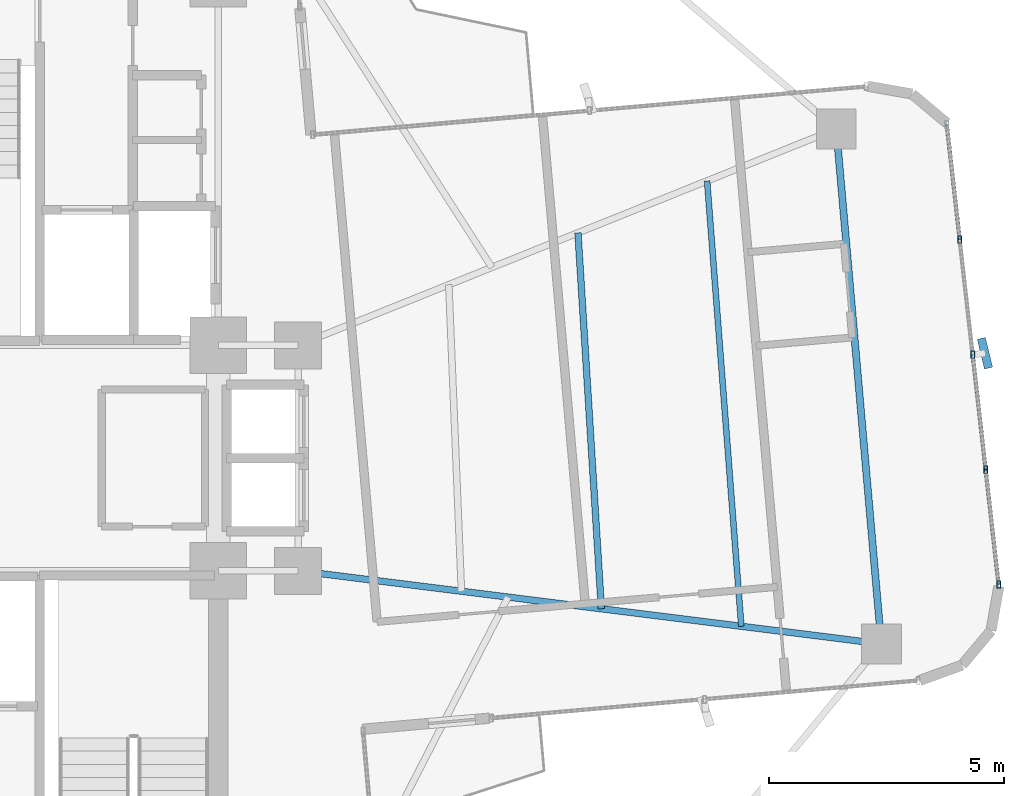
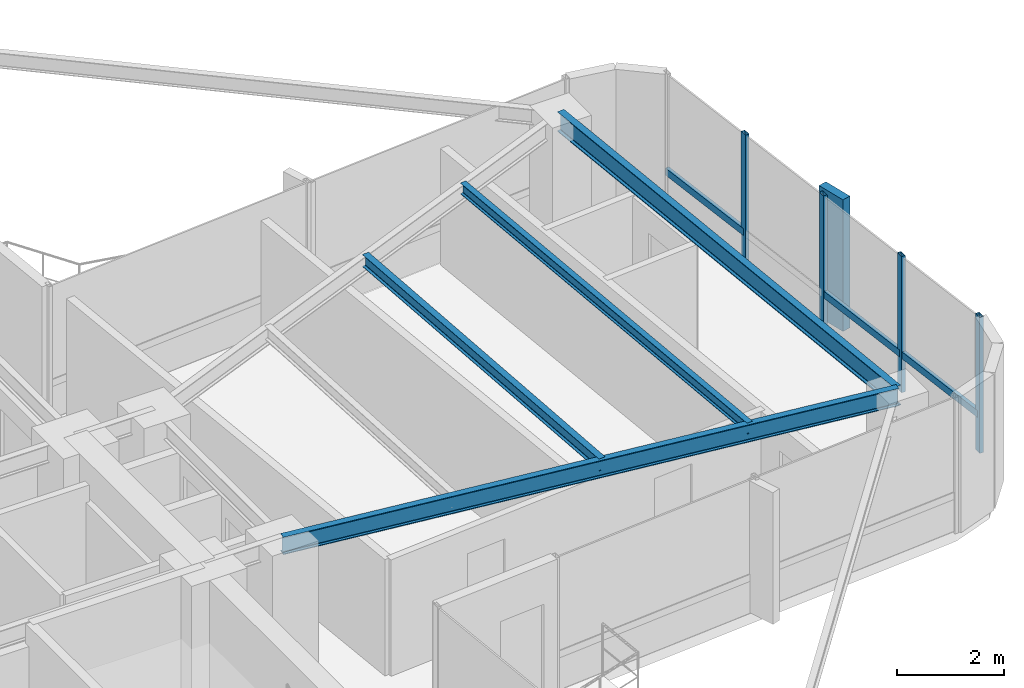
# One storey, part 14 of 24: 8 members, 4 beams, 1 element without a shape of its own.
"""IFC4 building model written with IfcOpenShell, lengths in metres."""

from ifc_helpers import new_model, si_unit, direction, frame, origin, origin_2d, place, context, subcontext, project, spatial, rectangle, hollow_rectangle, i_section, extrude, source, transform, mapped, material, material_profile, profile_set, type_object, element, aggregate, save


model = new_model("IFC4")

# Units and contexts
model_context = context("Model", 3, precision=1e-05, world=origin(), true_north=direction((0.0, 1.0)))
body_context = subcontext(model_context, "Body", "Model", "MODEL_VIEW")
ifc_project = project(units=[si_unit("LENGTHUNIT", "METRE"), si_unit("AREAUNIT", "SQUARE_METRE"), si_unit("VOLUMEUNIT", "CUBIC_METRE"), si_unit("PLANEANGLEUNIT", "RADIAN"), si_unit("MASSUNIT", "GRAM", prefix="KILO")], contexts=[model_context])

# Site, building, storey
site_placement = place(None, origin())
site = spatial("IfcSite", under=ifc_project, at=site_placement, CompositionType="ELEMENT")
building_placement = place(site_placement, origin())
building = spatial("IfcBuilding", under=site, at=building_placement, Name="Sahyath Konkavel Grand Hotel", CompositionType="ELEMENT")
storey_placement = place(building_placement, frame((0.0, 0.0, 181.89990234375)))
storey = spatial("IfcBuildingStorey", under=building, at=storey_placement, Name="L50", CompositionType="ELEMENT", Elevation=181.89990234375)

# Beams
ifc_material_1 = material(Name="Steel E350", Category="steel")
ifc_material_profile_1 = material_profile(ifc_material_1, i_section(OverallWidth=0.139892578125, OverallDepth=0.39990234375, WebThickness=0.0087890625, FlangeThickness=0.01611328125, FilletRadius=0.013916015625, at=origin_2d()), Name="ISMB 400")
ifc_profile_set_1 = profile_set([ifc_material_profile_1], Name="Steel E350")
beam_type_1 = type_object("IfcBeamType", Name="BM-ISMB400", PredefinedType="BEAM", material=ifc_profile_set_1)
shared_shape_1 = source(origin(), body_context, "Body", "SweptSolid", [
    extrude(i_section(OverallWidth=0.139892578125, OverallDepth=0.39990234375, WebThickness=0.0087890625, FlangeThickness=0.01611328125, FilletRadius=0.013916015625, at=origin_2d()), origin(), (0.0, 0.0, 1.0), 12.509765625),
])
beam_1_placement = place(storey_placement, frame((5.5, -2.39990234375, 2.91015625), z_axis=(0.992254740459, -0.124219684578, 0.0), x_axis=(0.124219684578, 0.992254740459, 0.0)))
element("IfcBeam", 1, at=beam_1_placement, inside=storey, type_object=beam_type_1, Name="L50 Cruciform Radial Girder EA", PredefinedType="BEAM", context=body_context, shape_type="MappedRepresentation", body=[
    mapped(shared_shape_1, transform((0.0, 0.0, 0.0), scale=1.0)),
])
ifc_material_profile_2 = material_profile(ifc_material_1, i_section(OverallWidth=0.14990234375, OverallDepth=0.449951171875, WebThickness=0.009521484375, FlangeThickness=0.017333984375, FilletRadius=0.014892578125, at=origin_2d()), Name="ISMB 450")
ifc_profile_set_2 = profile_set([ifc_material_profile_2], Name="Steel E350")
beam_type_2 = type_object("IfcBeamType", Name="BM-ISMB450", PredefinedType="BEAM", material=ifc_profile_set_2)
shared_shape_2 = source(origin(), body_context, "Body", "SweptSolid", [
    extrude(i_section(OverallWidth=0.14990234375, OverallDepth=0.449951171875, WebThickness=0.009521484375, FlangeThickness=0.017333984375, FilletRadius=0.014892578125, at=origin_2d()), origin(), (0.0, 0.0, 1.0), 11.0),
])
beam_2_placement = place(storey_placement, frame((17.912841796875, -3.953857421875, 2.885009765625), z_axis=(-0.087157314015, 0.996194560622, 0.0), x_axis=(-0.996194560622, -0.087157314015, 0.0)))
element("IfcBeam", 2, at=beam_2_placement, inside=storey, type_object=beam_type_2, Name="L50 Wing Tip Edge Beam E", PredefinedType="BEAM", context=body_context, shape_type="MappedRepresentation", body=[
    mapped(shared_shape_2, transform((0.0, 0.0, 0.0), scale=1.0)),
])
ifc_material_profile_3 = material_profile(ifc_material_1, i_section(OverallWidth=0.139892578125, OverallDepth=0.27490234375, WebThickness=0.00634765625, FlangeThickness=0.0087890625, FilletRadius=0.012939453125, at=origin_2d()), Name="ISLB 275")
ifc_profile_set_3 = profile_set([ifc_material_profile_3], Name="Steel E350")
beam_type_3 = type_object("IfcBeamType", Name="BM-ISLB275", PredefinedType="BEAM", material=ifc_profile_set_3)
shared_shape_3 = source(origin(), body_context, "Body", "SweptSolid", [
    extrude(i_section(OverallWidth=0.139892578125, OverallDepth=0.27490234375, WebThickness=0.00634765625, FlangeThickness=0.0087890625, FilletRadius=0.012939453125, at=origin_2d()), origin(), (0.0, 0.0, 1.0), 8.017822265625),
])
beam_3_placement = place(storey_placement, frame((11.95458984375, -3.2080078125, 2.97265625), z_axis=(-0.062179233264, 0.998064999362, 0.0), x_axis=(-0.998064999362, -0.062179233264, 0.0)))
element("IfcBeam", 3, at=beam_3_placement, inside=storey, type_object=beam_type_3, Name="L50 Secondary Floor Beam E-2", PredefinedType="BEAM", context=body_context, shape_type="MappedRepresentation", body=[
    mapped(shared_shape_3, transform((0.0, 0.0, 0.0), scale=1.0)),
])
ifc_material_profile_4 = material_profile(ifc_material_1, i_section(OverallWidth=0.125, OverallDepth=0.25, WebThickness=0.0068359375, FlangeThickness=0.012451171875, FilletRadius=0.012939453125, at=origin_2d()), Name="ISMB 250")
ifc_profile_set_4 = profile_set([ifc_material_profile_4], Name="Steel E350")
beam_type_4 = type_object("IfcBeamType", Name="BM-ISMB250", PredefinedType="BEAM", material=ifc_profile_set_4)
shared_shape_4 = source(origin(), body_context, "Body", "SweptSolid", [
    extrude(i_section(OverallWidth=0.125, OverallDepth=0.25, WebThickness=0.0068359375, FlangeThickness=0.012451171875, FilletRadius=0.012939453125, at=origin_2d()), origin(), (0.0, 0.0, 1.0), 9.508056640625),
])
beam_4_placement = place(storey_placement, frame((14.93359375, -3.580810546875, 2.985107421875), z_axis=(-0.076619921029, 0.997060373148, 0.0), x_axis=(-0.997060373148, -0.076619921029, 0.0)))
element("IfcBeam", 4, at=beam_4_placement, inside=storey, type_object=beam_type_4, Name="L50 Secondary Floor Beam E-3", PredefinedType="BEAM", context=body_context, shape_type="MappedRepresentation", body=[
    mapped(shared_shape_4, transform((0.0, 0.0, 0.0), scale=1.0)),
])

# Curtain wall, members
ifc_material_2 = material(Name="Anodised Bronze Aluminium & Low-E Glazing", Category="aluminium")
curtain_wall_type = type_object("IfcCurtainWallType", Name="CW-ZONE3", PredefinedType="NOTDEFINED", material=ifc_material_2)
curtain_wall_placement = place(storey_placement, origin())
curtain_wall = element("IfcCurtainWall", 5, at=curtain_wall_placement, inside=storey, type_object=curtain_wall_type, Name="L50 Unitised Curtain Wall F4", PredefinedType="NOTDEFINED")
ifc_material_3 = material(Name="Warm Buff Sandstone Cladding on Concrete C50/60", Category="masonry")
ifc_material_profile_5 = material_profile(ifc_material_3, rectangle(XDim=0.179931640625, YDim=0.64990234375, at=origin_2d()), Name="FIN 180x650")
ifc_profile_set_5 = profile_set([ifc_material_profile_5], Name="Warm Buff Sandstone Cladding on Concrete C50/60")
member_type_1 = type_object("IfcMemberType", Name="FIN-SANDSTONE-650", PredefinedType="MULLION", material=ifc_profile_set_5)
shared_shape_5 = source(origin(), body_context, "Body", "SweptSolid", [
    extrude(rectangle(XDim=0.179931640625, YDim=0.64990234375, at=origin_2d()), origin(), (0.0, 0.0, 1.0), 3.010009765625),
])
member_1_placement = place(storey_placement, frame((20.1181640625, 2.23095703125, 0.050048828125), z_axis=(0.0, 0.0, 1.0), x_axis=(0.971590441254, 0.236668575149, 0.0)))
member_1 = element("IfcMember", 6, at=member_1_placement, type_object=member_type_1, Name="L50 Sandstone Vertical Solar Fin FIN F4-2", PredefinedType="MULLION", context=body_context, shape_type="MappedRepresentation", body=[
    mapped(shared_shape_5, transform((0.0, 0.0, 0.0), scale=1.0)),
])
ifc_material_4 = material(Name="Anodised Bronze Aluminium", Category="aluminium")
ifc_material_profile_6 = material_profile(ifc_material_4, hollow_rectangle(XDim=0.080078125, YDim=0.159912109375, WallThickness=0.006103515625, at=origin_2d()), Name="RHS 160x80x6")
ifc_profile_set_6 = profile_set([ifc_material_profile_6], Name="Anodised Bronze Aluminium")
member_type_2 = type_object("IfcMemberType", Name="CW-MUL-160", PredefinedType="MULLION", material=ifc_profile_set_6)
shared_shape_6 = source(origin(), body_context, "Body", "SweptSolid", [
    extrude(hollow_rectangle(XDim=0.080078125, YDim=0.159912109375, WallThickness=0.006103515625, at=origin_2d()), origin(), (0.0, 0.0, 1.0), 3.110107421875),
])
member_2_placement = place(storey_placement, frame((20.4111328125, -2.69140625, 0.0), z_axis=(0.0, 0.0, 1.0), x_axis=(1.0, 0.0, 0.0)))
member_2 = element("IfcMember", 7, at=member_2_placement, type_object=member_type_2, Name="L50 Curtain Wall Mullion F4-0", PredefinedType="MULLION", context=body_context, shape_type="MappedRepresentation", body=[
    mapped(shared_shape_6, transform((0.0, 0.0, 0.0), scale=1.0)),
])
member_3_placement = place(storey_placement, frame((20.135498046875, -0.24462890625, 0.0), z_axis=(0.0, 0.0, 1.0), x_axis=(1.0, 0.0, 0.0)))
member_3 = element("IfcMember", 8, at=member_3_placement, type_object=member_type_2, Name="L50 Curtain Wall Mullion F4-1", PredefinedType="MULLION", context=body_context, shape_type="MappedRepresentation", body=[
    mapped(shared_shape_6, transform((0.0, 0.0, 0.0), scale=1.0)),
])
member_4_placement = place(storey_placement, frame((19.859619140625, 2.201904296875, 0.0), z_axis=(0.0, 0.0, 1.0), x_axis=(1.0, 0.0, 0.0)))
member_4 = element("IfcMember", 9, at=member_4_placement, type_object=member_type_2, Name="L50 Curtain Wall Mullion F4-2", PredefinedType="MULLION", context=body_context, shape_type="MappedRepresentation", body=[
    mapped(shared_shape_6, transform((0.0, 0.0, 0.0), scale=1.0)),
])
member_5_placement = place(storey_placement, frame((19.583984375, 4.648193359375, 0.0), z_axis=(0.0, 0.0, 1.0), x_axis=(1.0, 0.0, 0.0)))
member_5 = element("IfcMember", 10, at=member_5_placement, type_object=member_type_2, Name="L50 Curtain Wall Mullion F4-3", PredefinedType="MULLION", context=body_context, shape_type="MappedRepresentation", body=[
    mapped(shared_shape_6, transform((0.0, 0.0, 0.0), scale=1.0)),
])
ifc_material_profile_7 = material_profile(ifc_material_4, hollow_rectangle(XDim=0.080078125, YDim=0.159912109375, WallThickness=0.006103515625, at=origin_2d()), Name="RHS 160x80x6")
ifc_profile_set_7 = profile_set([ifc_material_profile_7], Name="Anodised Bronze Aluminium")
member_type_3 = type_object("IfcMemberType", Name="CW-TRN-160", PredefinedType="USERDEFINED", material=ifc_profile_set_7)
shared_shape_7 = source(origin(), body_context, "Body", "SweptSolid", [
    extrude(hollow_rectangle(XDim=0.080078125, YDim=0.159912109375, WallThickness=0.006103515625, at=origin_2d()), origin(), (0.0, 0.0, 1.0), 2.462158203125),
])
member_6_placement = place(storey_placement, frame((20.4111328125, -2.69140625, 0.85009765625), z_axis=(-0.11194409079, 0.993714506555, 0.0), x_axis=(-0.993714506555, -0.11194409079, 0.0)))
member_6 = element("IfcMember", 11, at=member_6_placement, type_object=member_type_3, Name="L50 Curtain Wall Transom F4-0-spandrel", ObjectType="TRANSOM", PredefinedType="USERDEFINED", context=body_context, shape_type="MappedRepresentation", body=[
    mapped(shared_shape_7, transform((0.0, 0.0, 0.0), scale=1.0)),
])
member_7_placement = place(storey_placement, frame((20.135498046875, -0.24462890625, 0.85009765625), z_axis=(-0.112053040279, 0.99370222711, 0.0), x_axis=(-0.99370222711, -0.112053040279, 0.0)))
member_7 = element("IfcMember", 12, at=member_7_placement, type_object=member_type_3, Name="L50 Curtain Wall Transom F4-1-spandrel", ObjectType="TRANSOM", PredefinedType="USERDEFINED", context=body_context, shape_type="MappedRepresentation", body=[
    mapped(shared_shape_7, transform((0.0, 0.0, 0.0), scale=1.0)),
])
member_8_placement = place(storey_placement, frame((19.583984375, 4.648193359375, 0.85009765625), z_axis=(-0.11194409079, 0.993714506555, 0.0), x_axis=(-0.993714506555, -0.11194409079, 0.0)))
member_8 = element("IfcMember", 13, at=member_8_placement, type_object=member_type_3, Name="L50 Curtain Wall Transom F4-3-spandrel", ObjectType="TRANSOM", PredefinedType="USERDEFINED", context=body_context, shape_type="MappedRepresentation", body=[
    mapped(shared_shape_7, transform((0.0, 0.0, 0.0), scale=1.0)),
])
aggregate(curtain_wall, [member_2, member_3, member_4, member_1, member_5, member_6, member_7, member_8])

save(model, "model.ifc")
